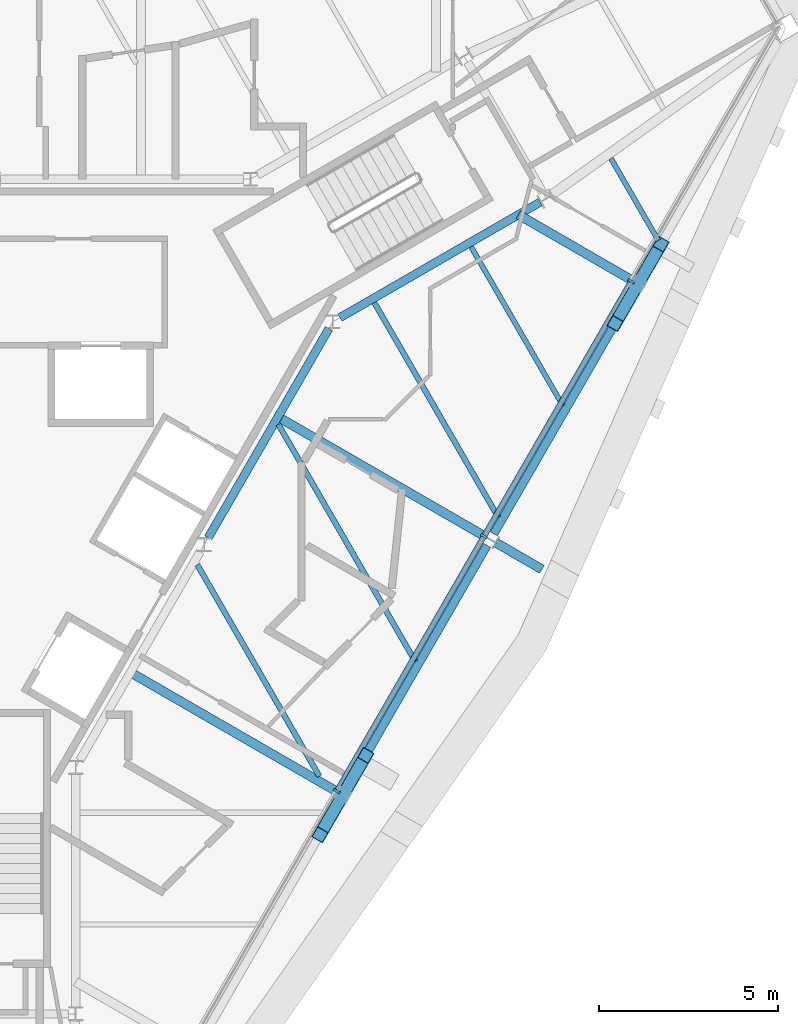
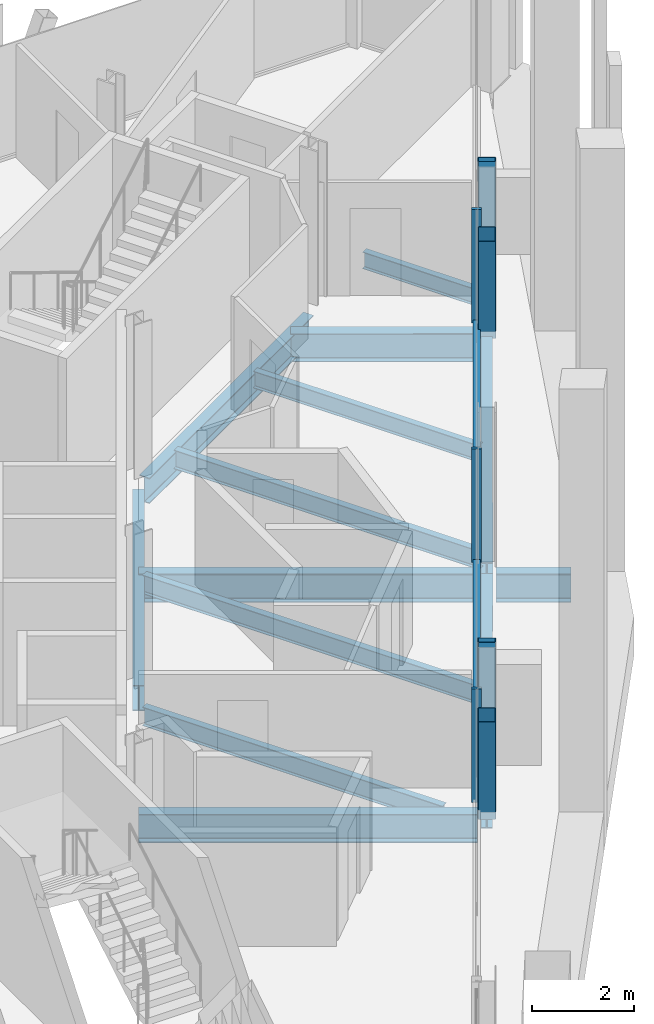
# One storey, part 4 of 13: 13 beams, 9 members, 1 element without a shape of its own.
"""IFC4 building model written with IfcOpenShell, lengths in metres."""

from ifc_helpers import new_model, si_unit, direction, frame, origin, origin_2d, place, context, subcontext, project, spatial, rectangle, hollow_rectangle, i_section, extrude, material, material_profile, profile_set, type_object, element, aggregate, save


model = new_model("IFC4")

# Units and contexts
model_context = context("Model", 3, precision=1e-05, world=origin(), true_north=direction((0.0, 1.0)))
body_context = subcontext(model_context, "Body", "Model", "MODEL_VIEW")
ifc_project = project(units=[si_unit("LENGTHUNIT", "METRE"), si_unit("AREAUNIT", "SQUARE_METRE"), si_unit("VOLUMEUNIT", "CUBIC_METRE"), si_unit("PLANEANGLEUNIT", "RADIAN"), si_unit("MASSUNIT", "GRAM", prefix="KILO")], contexts=[model_context])

# Site, building, storey
site_placement = place(None, origin())
site = spatial("IfcSite", under=ifc_project, at=site_placement, CompositionType="ELEMENT")
building_placement = place(site_placement, origin())
building = spatial("IfcBuilding", under=site, at=building_placement, Name="Verrane Prism Tower", CompositionType="ELEMENT")
storey_placement = place(building_placement, frame((0.0, 0.0, 286.199951171875)))
storey = spatial("IfcBuildingStorey", under=building, at=storey_placement, Name="L72", CompositionType="ELEMENT", Elevation=286.199951171875)

# Beams
ifc_material_1 = material(Name="Steel A992", Category="steel")
ifc_material_profile_1 = material_profile(ifc_material_1, i_section(OverallWidth=0.23046875, OverallDepth=0.6171875, WebThickness=0.01318359375, FlangeThickness=0.022216796875, FilletRadius=0.012939453125, at=origin_2d()), Name="W24x94")
ifc_profile_set_1 = profile_set([ifc_material_profile_1], Name="Steel A992")
beam_type_1 = type_object("IfcBeamType", Name="Core ring girder W24x94", PredefinedType="BEAM", material=ifc_profile_set_1)
beam_1_placement = place(storey_placement, frame((9.679443359375, 2.93505859375, -0.55859375), z_axis=(0.866080992722, 0.499903704773, 0.0), x_axis=(-0.499903704773, 0.866080992722, 0.0)))
element("IfcBeam", 1, at=beam_1_placement, inside=storey, type_object=beam_type_1, Name="Core ring girder L72", PredefinedType="BEAM", context=body_context, shape_type="SweptSolid", body=[
    extrude(i_section(OverallWidth=0.23046875, OverallDepth=0.6171875, WebThickness=0.01318359375, FlangeThickness=0.022216796875, FilletRadius=0.012939453125, at=origin_2d()), origin(), (0.0, 0.0, 1.0), 6.451904296875),
])
beam_2_placement = place(storey_placement, frame((6.00146484375, -3.20703125, -0.55859375), z_axis=(0.499881421193, 0.866093854468, 0.0), x_axis=(-0.866093854468, 0.499881421193, 0.0)))
element("IfcBeam", 2, at=beam_2_placement, inside=storey, type_object=beam_type_1, Name="Core ring girder L72", PredefinedType="BEAM", context=body_context, shape_type="SweptSolid", body=[
    extrude(i_section(OverallWidth=0.23046875, OverallDepth=0.6171875, WebThickness=0.01318359375, FlangeThickness=0.022216796875, FilletRadius=0.012939453125, at=origin_2d()), origin(), (0.0, 0.0, 1.0), 6.736083984375),
])

# Members
ifc_material_2 = material(Name="Steel A500 Grade C", Category="steel")
ifc_material_profile_2 = material_profile(ifc_material_2, hollow_rectangle(XDim=0.355712890625, YDim=0.355712890625, WallThickness=0.0126953125, InnerFilletRadius=0.00634765625, OuterFilletRadius=0.01904296875, at=origin_2d()), Name="HSS14x14x1/2")
ifc_profile_set_2 = profile_set([ifc_material_profile_2], Name="Steel A500 Grade C")
member_type_1 = type_object("IfcMemberType", Name="Facade brace HSS14x14x1/2", PredefinedType="BRACE", material=ifc_profile_set_2)
member_1_placement = place(storey_placement, frame((9.704833984375, -10.485595703125, -0.171630859375), z_axis=(-0.173954256592, -0.301496500673, 0.937464546901), x_axis=(0.866168216079, -0.499752560229, 0.0)))
element("IfcMember", 3, at=member_1_placement, inside=storey, type_object=member_type_1, Name="Facade brace SE1 L72", PredefinedType="BRACE", context=body_context, shape_type="SweptSolid", body=[
    extrude(hollow_rectangle(XDim=0.355712890625, YDim=0.355712890625, WallThickness=0.0126953125, InnerFilletRadius=0.00634765625, OuterFilletRadius=0.01904296875, at=origin_2d()), origin(), (0.0, 0.0, 1.0), 3.361328125),
])
member_2_placement = place(storey_placement, frame((9.815185546875, -10.294677734375, -0.171630859375), z_axis=(0.173977100462, 0.301100242762, 0.937587655808), x_axis=(-0.865855019057, 0.500294998949, 0.0)))
element("IfcMember", 4, at=member_2_placement, inside=storey, type_object=member_type_1, Name="Facade brace SE2 L72", PredefinedType="BRACE", context=body_context, shape_type="SweptSolid", body=[
    extrude(hollow_rectangle(XDim=0.355712890625, YDim=0.355712890625, WallThickness=0.0126953125, InnerFilletRadius=0.00634765625, OuterFilletRadius=0.01904296875, at=origin_2d()), origin(), (0.0, 0.0, 1.0), 3.36083984375),
])
for number, where, z_axis, x_axis, name in (
    (5, (17.94482421875, 3.784423828125, -0.171630859375), (-0.173954256592, -0.301496500673, 0.937464546901), (0.866168216079, -0.499752560229, 0.0), "Facade brace SE3 L72"),
    (6, (18.05517578125, 3.9755859375, -0.171630859375), (0.173954256592, 0.301496500673, 0.937464546901), (-0.866168216079, 0.499752560229, 0.0), "Facade brace SE4 L72"),
):
    element("IfcMember", number, at=place(storey_placement, frame(where, z_axis=z_axis, x_axis=x_axis)), inside=storey, type_object=member_type_1, Name=name, PredefinedType="BRACE", context=body_context, shape_type="SweptSolid", body=[
        extrude(hollow_rectangle(XDim=0.355712890625, YDim=0.355712890625, WallThickness=0.0126953125, InnerFilletRadius=0.00634765625, OuterFilletRadius=0.01904296875, at=origin_2d()), origin(), (0.0, 0.0, 1.0), 3.361328125),
    ])

# Beams
ifc_material_3 = material(Name="Steel A992", Category="steel")
ifc_material_profile_3 = material_profile(ifc_material_3, i_section(OverallWidth=0.140380859375, OverallDepth=0.40380859375, WebThickness=0.007080078125, FlangeThickness=0.01123046875, FilletRadius=0.01025390625, at=origin_2d()), Name="W16x31")
ifc_profile_set_3 = profile_set([ifc_material_profile_3], Name="Steel A992")
beam_type_2 = type_object("IfcBeamType", Name="Floor beam W16x31", PredefinedType="BEAM", material=ifc_profile_set_3)
beam_3_placement = place(storey_placement, frame((15.902099609375, 0.474609375, -0.36181640625), z_axis=(-0.500011000363, 0.866019052629, 0.0), x_axis=(-0.866019052629, -0.500011000363, 0.0)))
element("IfcBeam", 7, at=beam_3_placement, inside=storey, type_object=beam_type_2, Name="Floor beam L72", PredefinedType="BEAM", context=body_context, shape_type="SweptSolid", body=[
    extrude(i_section(OverallWidth=0.140380859375, OverallDepth=0.40380859375, WebThickness=0.007080078125, FlangeThickness=0.01123046875, FilletRadius=0.01025390625, at=origin_2d()), origin(), (0.0, 0.0, 1.0), 5.126953125),
])
beam_4_placement = place(storey_placement, frame((18.565185546875, 5.089599609375, -0.36181640625), z_axis=(-0.49994082229, 0.866059567356, 0.0), x_axis=(-0.866059567356, -0.49994082229, 0.0)))
element("IfcBeam", 8, at=beam_4_placement, inside=storey, type_object=beam_type_2, Name="Floor beam L72", PredefinedType="BEAM", context=body_context, shape_type="SweptSolid", body=[
    extrude(i_section(OverallWidth=0.140380859375, OverallDepth=0.40380859375, WebThickness=0.007080078125, FlangeThickness=0.01123046875, FilletRadius=0.01025390625, at=origin_2d()), origin(), (0.0, 0.0, 1.0), 2.645263671875),
])
ifc_material_4 = material(Name="Steel A992", Category="steel")
ifc_material_profile_4 = material_profile(ifc_material_4, i_section(OverallWidth=0.15234375, OverallDepth=0.449462890625, WebThickness=0.007568359375, FlangeThickness=0.0107421875, FilletRadius=0.01025390625, at=origin_2d()), Name="W18x35")
ifc_profile_set_4 = profile_set([ifc_material_profile_4], Name="Steel A992")
beam_type_3 = type_object("IfcBeamType", Name="Floor beam W18x35", PredefinedType="BEAM", material=ifc_profile_set_4)
beam_5_placement = place(storey_placement, frame((11.78076171875, -6.6630859375, -0.384765625), z_axis=(-0.499997113229, 0.866027070456, 0.0), x_axis=(-0.866027070456, -0.499997113229, 0.0)))
element("IfcBeam", 9, at=beam_5_placement, inside=storey, type_object=beam_type_3, Name="Floor beam L72", PredefinedType="BEAM", context=body_context, shape_type="SweptSolid", body=[
    extrude(i_section(OverallWidth=0.15234375, OverallDepth=0.449462890625, WebThickness=0.007568359375, FlangeThickness=0.0107421875, FilletRadius=0.01025390625, at=origin_2d()), origin(), (0.0, 0.0, 1.0), 7.64306640625),
])
beam_6_placement = place(storey_placement, frame((9.103271484375, -9.864501953125, -0.384765625), z_axis=(-0.49999337185, 0.866029230515, 0.0), x_axis=(-0.866029230515, -0.49999337185, 0.0)))
element("IfcBeam", 10, at=beam_6_placement, inside=storey, type_object=beam_type_3, Name="Floor beam L72", PredefinedType="BEAM", context=body_context, shape_type="SweptSolid", body=[
    extrude(i_section(OverallWidth=0.15234375, OverallDepth=0.449462890625, WebThickness=0.007568359375, FlangeThickness=0.0107421875, FilletRadius=0.01025390625, at=origin_2d()), origin(), (0.0, 0.0, 1.0), 6.8125),
])
beam_7_placement = place(storey_placement, frame((14.1015625, -2.64599609375, -0.384765625), z_axis=(-0.49999287541, 0.866029517129, 0.0), x_axis=(-0.866029517129, -0.49999287541, 0.0)))
element("IfcBeam", 11, at=beam_7_placement, inside=storey, type_object=beam_type_3, Name="Floor beam L72", PredefinedType="BEAM", context=body_context, shape_type="SweptSolid", body=[
    extrude(i_section(OverallWidth=0.15234375, OverallDepth=0.449462890625, WebThickness=0.007568359375, FlangeThickness=0.0107421875, FilletRadius=0.01025390625, at=origin_2d()), origin(), (0.0, 0.0, 1.0), 6.92919921875),
])

# Curtain wall, members
ifc_material_5 = material(Name="Aluminium framed insulated glazing", Category="aluminium")
curtain_wall_type = type_object("IfcCurtainWallType", Name="Curtain wall CW-A 8400 module", PredefinedType="NOTDEFINED", material=ifc_material_5)
curtain_wall_placement = place(storey_placement, origin())
curtain_wall = element("IfcCurtainWall", 12, at=curtain_wall_placement, inside=storey, type_object=curtain_wall_type, Name="Glazed curtain wall south-east face L72", PredefinedType="NOTDEFINED")
ifc_material_6 = material(Name="Aluminium alloy 6063-T6", Category="aluminium")
ifc_material_profile_5 = material_profile(ifc_material_6, rectangle(XDim=0.199951171875, YDim=0.070068359375, at=origin_2d()), Name="Mullion 70x200 aluminium")
ifc_profile_set_5 = profile_set([ifc_material_profile_5], Name="Aluminium alloy 6063-T6")
member_type_2 = type_object("IfcMemberType", Name="Mullion 70x200 aluminium", PredefinedType="MULLION", material=ifc_profile_set_5)
member_3_placement = place(storey_placement, frame((9.591064453125, -10.2822265625, 0.0), z_axis=(0.0, 0.0, 1.0), x_axis=(-0.866024861728, 0.500000938868, 0.0)))
member_3 = element("IfcMember", 13, at=member_3_placement, type_object=member_type_2, Name="CW72.6 mullion 3", PredefinedType="MULLION", context=body_context, shape_type="SweptSolid", body=[
    extrude(rectangle(XDim=0.199951171875, YDim=0.070068359375, at=origin_2d()), origin(), (0.0, 0.0, 1.0), 2.72314453125),
])
member_4_placement = place(storey_placement, frame((13.7001953125, -3.1650390625, 0.0), z_axis=(0.0, 0.0, 1.0), x_axis=(-0.866024861728, 0.500000938868, 0.0)))
member_4 = element("IfcMember", 14, at=member_4_placement, type_object=member_type_2, Name="CW72.6 mullion 4", PredefinedType="MULLION", context=body_context, shape_type="SweptSolid", body=[
    extrude(rectangle(XDim=0.199951171875, YDim=0.070068359375, at=origin_2d()), origin(), (0.0, 0.0, 1.0), 2.72314453125),
])
member_5_placement = place(storey_placement, frame((17.8095703125, 3.952392578125, 0.0), z_axis=(0.0, 0.0, 1.0), x_axis=(-0.866024861728, 0.500000938868, 0.0)))
member_5 = element("IfcMember", 15, at=member_5_placement, type_object=member_type_2, Name="CW72.6 mullion 5", PredefinedType="MULLION", context=body_context, shape_type="SweptSolid", body=[
    extrude(rectangle(XDim=0.199951171875, YDim=0.070068359375, at=origin_2d()), origin(), (0.0, 0.0, 1.0), 2.72314453125),
])

# Beams
ifc_material_7 = material(Name="Steel A992", Category="steel")
ifc_material_profile_6 = material_profile(ifc_material_7, i_section(OverallWidth=0.25390625, OverallDepth=0.683349609375, WebThickness=0.012451171875, FlangeThickness=0.01904296875, FilletRadius=0.01513671875, at=origin_2d()), Name="W27x94")
ifc_profile_set_6 = profile_set([ifc_material_profile_6], Name="Steel A992")
beam_type_4 = type_object("IfcBeamType", Name="Radial girder W27x94", PredefinedType="BEAM", material=ifc_profile_set_6)
beam_8_placement = place(storey_placement, frame((9.6005859375, -10.2978515625, -0.5615234375), z_axis=(-0.866031183428, 0.49998998923, 0.0), x_axis=(-0.49998998923, -0.866031183428, 0.0)))
element("IfcBeam", 16, at=beam_8_placement, inside=storey, type_object=beam_type_4, Name="Radial girder L72", PredefinedType="BEAM", context=body_context, shape_type="SweptSolid", body=[
    extrude(i_section(OverallWidth=0.25390625, OverallDepth=0.683349609375, WebThickness=0.012451171875, FlangeThickness=0.01904296875, FilletRadius=0.01513671875, at=origin_2d()), origin(), (0.0, 0.0, 1.0), 6.661865234375),
])
beam_9_placement = place(storey_placement, frame((13.720458984375, -3.16796875, -0.5615234375), z_axis=(-0.866025791777, 0.499999327977, 0.0), x_axis=(-0.499999327977, -0.866025791777, 0.0)))
element("IfcBeam", 17, at=beam_9_placement, inside=storey, type_object=beam_type_4, Name="Radial girder L72", PredefinedType="BEAM", context=body_context, shape_type="SweptSolid", body=[
    extrude(i_section(OverallWidth=0.25390625, OverallDepth=0.683349609375, WebThickness=0.012451171875, FlangeThickness=0.01904296875, FilletRadius=0.01513671875, at=origin_2d()), origin(), (0.0, 0.0, 1.0), 6.666015625),
])
beam_10_placement = place(storey_placement, frame((17.840576171875, 3.97216796875, -0.5615234375), z_axis=(-0.866042841795, 0.499969795263, 0.0), x_axis=(-0.499969795263, -0.866042841795, 0.0)))
element("IfcBeam", 18, at=beam_10_placement, inside=storey, type_object=beam_type_4, Name="Radial girder L72", PredefinedType="BEAM", context=body_context, shape_type="SweptSolid", body=[
    extrude(i_section(OverallWidth=0.25390625, OverallDepth=0.683349609375, WebThickness=0.012451171875, FlangeThickness=0.01904296875, FilletRadius=0.01513671875, at=origin_2d()), origin(), (0.0, 0.0, 1.0), 3.674072265625),
])
beam_11_placement = place(storey_placement, frame((14.035888671875, -3.35009765625, -0.5615234375), z_axis=(0.866056109487, -0.499946812391, 0.0), x_axis=(0.499946812391, 0.866056109487, 0.0)))
element("IfcBeam", 19, at=beam_11_placement, inside=storey, type_object=beam_type_4, Name="Cantilever girder L72", PredefinedType="BEAM", context=body_context, shape_type="SweptSolid", body=[
    extrude(i_section(OverallWidth=0.25390625, OverallDepth=0.683349609375, WebThickness=0.012451171875, FlangeThickness=0.01904296875, FilletRadius=0.01513671875, at=origin_2d()), origin(), (0.0, 0.0, 1.0), 1.475830078125),
])
ifc_material_8 = material(Name="Steel A992", Category="steel")
ifc_material_profile_7 = material_profile(ifc_material_8, i_section(OverallWidth=0.23046875, OverallDepth=0.6171875, WebThickness=0.01318359375, FlangeThickness=0.022216796875, FilletRadius=0.012939453125, at=origin_2d()), Name="W24x94")
ifc_profile_set_7 = profile_set([ifc_material_profile_7], Name="Steel A992")
beam_type_5 = type_object("IfcBeamType", Name="Spandrel beam W24x94", PredefinedType="SPANDREL", material=ifc_profile_set_7)
beam_12_placement = place(storey_placement, frame((9.853515625, -10.228515625, -0.468505859375), z_axis=(0.500300363133, 0.865851919585, 0.0), x_axis=(-0.865851919585, 0.500300363133, 0.0)))
element("IfcBeam", 20, at=beam_12_placement, inside=storey, type_object=beam_type_5, Name="Spandrel beam L72", PredefinedType="SPANDREL", context=body_context, shape_type="SweptSolid", body=[
    extrude(i_section(OverallWidth=0.23046875, OverallDepth=0.6171875, WebThickness=0.01318359375, FlangeThickness=0.022216796875, FilletRadius=0.012939453125, at=origin_2d()), origin(), (0.0, 0.0, 1.0), 7.861572265625),
])
beam_13_placement = place(storey_placement, frame((13.973388671875, -3.098388671875, -0.468505859375), z_axis=(0.499786009893, 0.866148915785, 0.0), x_axis=(-0.866148915785, 0.499786009893, 0.0)))
element("IfcBeam", 21, at=beam_13_placement, inside=storey, type_object=beam_type_5, Name="Spandrel beam L72", PredefinedType="SPANDREL", context=body_context, shape_type="SweptSolid", body=[
    extrude(i_section(OverallWidth=0.23046875, OverallDepth=0.6171875, WebThickness=0.01318359375, FlangeThickness=0.022216796875, FilletRadius=0.012939453125, at=origin_2d()), origin(), (0.0, 0.0, 1.0), 7.8701171875),
])

# Member
ifc_material_9 = material(Name="Aluminium alloy 6063-T6", Category="aluminium")
ifc_material_profile_8 = material_profile(ifc_material_9, rectangle(XDim=0.14990234375, YDim=0.070068359375, at=origin_2d()), Name="Transom 70x150 aluminium")
ifc_profile_set_8 = profile_set([ifc_material_profile_8], Name="Aluminium alloy 6063-T6")
member_type_3 = type_object("IfcMemberType", Name="Transom 70x150 aluminium", PredefinedType="USERDEFINED", material=ifc_profile_set_8)
member_6_placement = place(storey_placement, frame((9.608642578125, -10.251953125, 0.03515625), z_axis=(0.500006018292, 0.866021929094, 0.0), x_axis=(-0.866021929094, 0.500006018292, 0.0)))
member_6 = element("IfcMember", 22, at=member_6_placement, type_object=member_type_3, Name="CW72.6 transom 3", ObjectType="TRANSOM", PredefinedType="USERDEFINED", context=body_context, shape_type="SweptSolid", body=[
    extrude(rectangle(XDim=0.14990234375, YDim=0.070068359375, at=origin_2d()), origin(), (0.0, 0.0, 1.0), 8.1484375),
])

member_7_placement = place(storey_placement, frame((13.7177734375, -3.134521484375, 0.03515625), z_axis=(0.500006018292, 0.866021929094, 0.0), x_axis=(-0.866021929094, 0.500006018292, 0.0)))
member_7 = element("IfcMember", 23, at=member_7_placement, type_object=member_type_3, Name="CW72.6 transom 4", ObjectType="TRANSOM", PredefinedType="USERDEFINED", context=body_context, shape_type="SweptSolid", body=[
    extrude(rectangle(XDim=0.14990234375, YDim=0.070068359375, at=origin_2d()), origin(), (0.0, 0.0, 1.0), 8.1484375),
])

aggregate(curtain_wall, [member_3, member_4, member_5, member_6, member_7])

save(model, "model.ifc")
